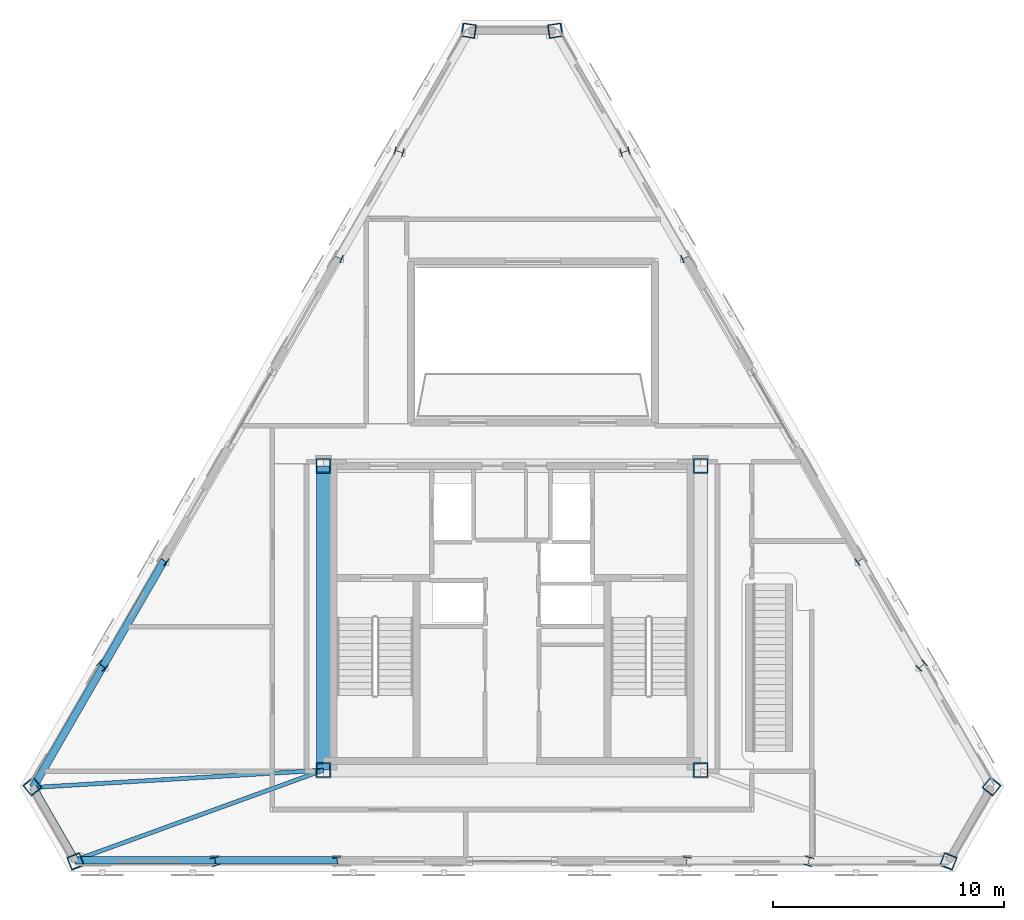
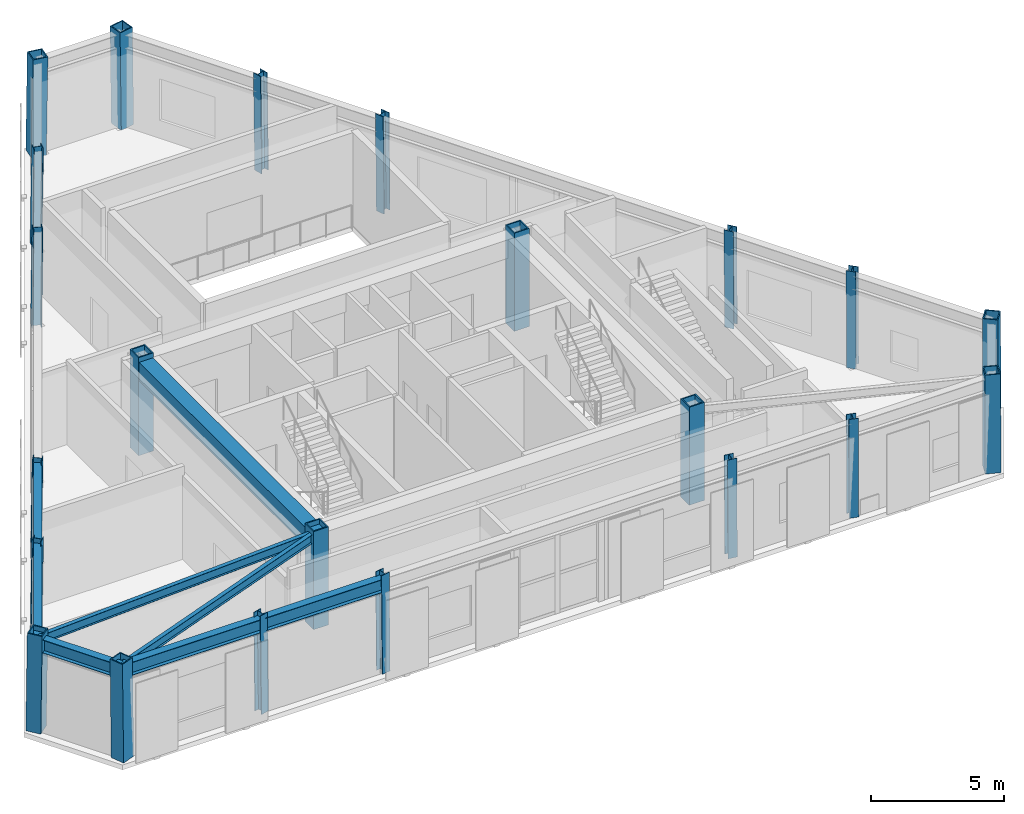
# One storey, part 1 of 15: 22 columns, 8 beams.
"""IFC4 building model written with IfcOpenShell, lengths in metres."""

from ifc_helpers import new_model, si_unit, direction, frame, origin, origin_2d, place, context, subcontext, project, spatial, rectangle, hollow_rectangle, i_section, extrude, material, material_profile, profile_set, type_object, element, save


model = new_model("IFC4")

# Units and contexts
model_context = context("Model", 3, precision=1e-05, world=origin(), true_north=direction((0.0, 1.0)))
body_context = subcontext(model_context, "Body", "Model", "MODEL_VIEW")
ifc_project = project(units=[si_unit("LENGTHUNIT", "METRE"), si_unit("AREAUNIT", "SQUARE_METRE"), si_unit("VOLUMEUNIT", "CUBIC_METRE"), si_unit("PLANEANGLEUNIT", "RADIAN"), si_unit("MASSUNIT", "GRAM", prefix="KILO")], contexts=[model_context])

# Site, building, storey
site_placement = place(None, origin())
site = spatial("IfcSite", under=ifc_project, at=site_placement, CompositionType="ELEMENT")
building_placement = place(site_placement, origin())
building = spatial("IfcBuilding", under=site, at=building_placement, Name="Oramaril Tower", CompositionType="ELEMENT")
storey_placement = place(building_placement, frame((0.0, 0.0, 305.10009765625)))
storey = spatial("IfcBuildingStorey", under=building, at=storey_placement, Name="L80", CompositionType="ELEMENT", Elevation=305.10009765625)

# Columns
ifc_material_1 = material(Name="Steel ASTM A572 Gr 50", Category="steel")
ifc_material_profile_1 = material_profile(ifc_material_1, hollow_rectangle(XDim=0.64990234375, YDim=0.64990234375, WallThickness=0.050048828125, at=origin_2d()), Name="BOX650X650X50")
ifc_profile_set_1 = profile_set([ifc_material_profile_1], Name="Steel ASTM A572 Gr 50")
column_type_1 = type_object("IfcColumnType", Name="CT-CC5", PredefinedType="COLUMN", material=ifc_profile_set_1)
for number, where, z_axis, x_axis, name in (
    (1, (29.35009765625, 11.0, 0.0), (0.0, 0.0, 1.0), (1.0, 0.0, 0.0), "L80 Core Column CC-1"),
    (2, (45.64990234375, 11.0, 0.0), (0.0, 0.0, 1.0), (1.0, 0.0, 0.0), "L80 Core Column CC-2"),
    (3, (45.64990234375, 24.14990234375, 0.0), (0.0, 0.0, 1.0), (1.0, 0.0, 0.0), "L80 Core Column CC-3"),
    (4, (29.35009765625, 24.14990234375, 0.0), (0.0, 0.0, 1.0), (1.0, 0.0, 0.0), "L80 Core Column CC-4"),
):
    element("IfcColumn", number, at=place(storey_placement, frame(where, z_axis=z_axis, x_axis=x_axis)), inside=storey, type_object=column_type_1, Name=name, PredefinedType="COLUMN", context=body_context, shape_type="SweptSolid", body=[
        extrude(hollow_rectangle(XDim=0.64990234375, YDim=0.64990234375, WallThickness=0.050048828125, at=origin_2d()), origin(), (0.0, 0.0, 1.0), 4.5),
    ])
ifc_material_2 = material(Name="Steel ASTM A572 Gr 50", Category="steel")
ifc_material_profile_2 = material_profile(ifc_material_2, hollow_rectangle(XDim=0.60009765625, YDim=0.60009765625, WallThickness=0.044921875, at=origin_2d()), Name="BOX600X600X45")
ifc_profile_set_2 = profile_set([ifc_material_profile_2], Name="Steel ASTM A572 Gr 50")
column_type_2 = type_object("IfcColumnType", Name="CT-TC5", PredefinedType="COLUMN", material=ifc_profile_set_2)
for number, where, z_axis, x_axis, name in (
    (5, (16.7763671875, 10.29833984375, 0.00439453125), (0.008371104998, -0.010273628862, 0.99991218472), (0.775234985517, 0.631672951162, 0.0), "L80 Tube Column TC-01"),
    (6, (18.649658203125, 7.0537109375, 0.00439453125), (-0.004729133114, 0.012339232379, 0.99991268551), (-0.933769029159, -0.357876235845, 0.0), "L80 Tube Column TC-02"),
    (7, (56.350341796875, 7.0537109375, 0.00439453125), (0.004729133114, 0.012339232379, 0.99991268551), (-0.933769029159, 0.357876235845, 0.0), "L80 Tube Column TC-03"),
    (8, (58.2236328125, 10.29833984375, 0.00439453125), (-0.008371104998, -0.010273628862, 0.99991218472), (0.775234985517, -0.631672951162, 0.0), "L80 Tube Column TC-04"),
    (9, (39.373291015625, 42.947998046875, 0.00439453125), (-0.013100234041, -0.002065597069, 0.999912054721), (0.155752094129, -0.987796175926, 0.0), "L80 Tube Column TC-05"),
    (10, (35.626708984375, 42.947998046875, 0.00439453125), (0.013100234041, -0.002065597069, 0.999912054721), (0.155752094129, 0.987796175926, 0.0), "L80 Tube Column TC-06"),
):
    element("IfcColumn", number, at=place(storey_placement, frame(where, z_axis=z_axis, x_axis=x_axis)), inside=storey, type_object=column_type_2, Name=name, PredefinedType="COLUMN", context=body_context, shape_type="SweptSolid", body=[
        extrude(hollow_rectangle(XDim=0.60009765625, YDim=0.60009765625, WallThickness=0.044921875, at=origin_2d()), origin(), (0.0, 0.0, 1.0), 4.491455078125),
    ])
ifc_material_3 = material(Name="Steel ASTM A572 Gr 50", Category="steel")
ifc_material_profile_3 = material_profile(ifc_material_3, i_section(OverallWidth=0.373046875, OverallDepth=0.373046875, WebThickness=0.016357421875, FlangeThickness=0.026123046875, at=origin_2d()), Name="W14X132")
ifc_profile_set_3 = profile_set([ifc_material_profile_3], Name="Steel ASTM A572 Gr 50")
column_type_3 = type_object("IfcColumnType", Name="CT-TF5", PredefinedType="COLUMN", material=ifc_profile_set_3)
for number, where, z_axis, x_axis, name in (
    (11, (24.681884765625, 7.0537109375, 0.00439453125), (-0.003261490238, 0.012339304734, 0.999918548803), (-0.96679812576, -0.255541354826, 0.0), "L80 Tube Column TC-07"),
    (12, (29.9599609375, 7.0537109375, 0.00439453125), (-0.001902542648, 0.012339348031, 0.999922057373), (-0.98832131011, -0.152384342969, 0.0), "L80 Tube Column TC-08"),
    (13, (45.0400390625, 7.0537109375, 0.00439453125), (0.001902542648, 0.012339348031, 0.999922057373), (-0.98832131011, 0.152384342969, 0.0), "L80 Tube Column TC-09"),
    (14, (50.318115234375, 7.0537109375, 0.00439453125), (0.003261490238, 0.012339304734, 0.999918548803), (-0.96679812576, 0.255541354826, 0.0), "L80 Tube Column TC-10"),
):
    element("IfcColumn", number, at=place(storey_placement, frame(where, z_axis=z_axis, x_axis=x_axis)), inside=storey, type_object=column_type_3, Name=name, PredefinedType="COLUMN", context=body_context, shape_type="SweptSolid", body=[
        extrude(i_section(OverallWidth=0.373046875, OverallDepth=0.373046875, WebThickness=0.016357421875, FlangeThickness=0.026123046875, at=origin_2d()), origin(), (0.0, 0.0, 1.0), 4.4912109375),
    ])
column_1_placement = place(storey_placement, frame((55.20751953125, 15.522216796875, 0.00439453125), z_axis=(-0.009132168349, -0.008969093914, 0.999918076072), x_axis=(0.700708014884, -0.713448160609, 0.0)))
element("IfcColumn", 15, at=column_1_placement, inside=storey, type_object=column_type_3, Name="L80 Tube Column TC-11", PredefinedType="COLUMN", context=body_context, shape_type="SweptSolid", body=[
    extrude(i_section(OverallWidth=0.373046875, OverallDepth=0.373046875, WebThickness=0.016357421875, FlangeThickness=0.026123046875, at=origin_2d()), origin(), (0.0, 0.0, 1.0), 4.491455078125),
])
for number, where, z_axis, x_axis, name in (
    (16, (52.568603515625, 20.09326171875, 0.00439453125), (-0.009784499524, -0.007827599619, 0.999921493045), (0.624695047554, -0.780868809443, 0.0), "L80 Tube Column TC-12"),
    (17, (45.0283203125, 33.1533203125, 0.00439453125), (-0.011632687649, -0.004566101694, 0.999921912598), (0.36538319824, -0.930857195516, 0.0), "L80 Tube Column TC-13"),
):
    element("IfcColumn", number, at=place(storey_placement, frame(where, z_axis=z_axis, x_axis=x_axis)), inside=storey, type_object=column_type_3, Name=name, PredefinedType="COLUMN", context=body_context, shape_type="SweptSolid", body=[
        extrude(i_section(OverallWidth=0.373046875, OverallDepth=0.373046875, WebThickness=0.016357421875, FlangeThickness=0.026123046875, at=origin_2d()), origin(), (0.0, 0.0, 1.0), 4.4912109375),
    ])
for number, where, z_axis, x_axis, name in (
    (18, (42.389404296875, 37.72412109375, 0.00439453125), (-0.012339298007, -0.003424562883, 0.999918003685), (0.267424925297, -0.963578699085, 0.0), "L80 Tube Column TC-14"),
    (19, (32.610595703125, 37.72412109375, 0.00439453125), (0.012339298007, -0.003424562883, 0.999918003685), (0.267424925297, 0.963578699085, 0.0), "L80 Tube Column TC-15"),
):
    element("IfcColumn", number, at=place(storey_placement, frame(where, z_axis=z_axis, x_axis=x_axis)), inside=storey, type_object=column_type_3, Name=name, PredefinedType="COLUMN", context=body_context, shape_type="SweptSolid", body=[
        extrude(i_section(OverallWidth=0.373046875, OverallDepth=0.373046875, WebThickness=0.016357421875, FlangeThickness=0.026123046875, at=origin_2d()), origin(), (0.0, 0.0, 1.0), 4.491455078125),
    ])
for number, where, z_axis, x_axis, name in (
    (20, (29.9716796875, 33.1533203125, 0.00439453125), (0.011632687649, -0.004566101694, 0.999921912598), (0.36538319824, 0.930857195516, 0.0), "L80 Tube Column TC-16"),
    (21, (22.431396484375, 20.09326171875, 0.00439453125), (0.009784499524, -0.007827599619, 0.999921493045), (0.624695047554, 0.780868809443, 0.0), "L80 Tube Column TC-17"),
):
    element("IfcColumn", number, at=place(storey_placement, frame(where, z_axis=z_axis, x_axis=x_axis)), inside=storey, type_object=column_type_3, Name=name, PredefinedType="COLUMN", context=body_context, shape_type="SweptSolid", body=[
        extrude(i_section(OverallWidth=0.373046875, OverallDepth=0.373046875, WebThickness=0.016357421875, FlangeThickness=0.026123046875, at=origin_2d()), origin(), (0.0, 0.0, 1.0), 4.4912109375),
    ])
column_2_placement = place(storey_placement, frame((19.79248046875, 15.522216796875, 0.00439453125), z_axis=(0.009132168349, -0.008969093914, 0.999918076072), x_axis=(0.700708014884, 0.713448160609, 0.0)))
element("IfcColumn", 22, at=column_2_placement, inside=storey, type_object=column_type_3, Name="L80 Tube Column TC-18", PredefinedType="COLUMN", context=body_context, shape_type="SweptSolid", body=[
    extrude(i_section(OverallWidth=0.373046875, OverallDepth=0.373046875, WebThickness=0.016357421875, FlangeThickness=0.026123046875, at=origin_2d()), origin(), (0.0, 0.0, 1.0), 4.491455078125),
])

# Beams
ifc_material_4 = material(Name="Concrete C50/60", Category="concrete")
ifc_material_profile_4 = material_profile(ifc_material_4, rectangle(XDim=0.60009765625, YDim=0.85009765625, at=origin_2d()), Name="CB600X850")
ifc_profile_set_4 = profile_set([ifc_material_profile_4], Name="Concrete C50/60")
beam_type_1 = type_object("IfcBeamType", Name="BT-CB2", PredefinedType="BEAM", material=ifc_profile_set_4)
beam_1_placement = place(storey_placement, frame((29.35009765625, 24.14990234375, 3.85498046875), z_axis=(0.0, -1.0, 0.0), x_axis=(1.0, 0.0, 0.0)))
element("IfcBeam", 23, at=beam_1_placement, inside=storey, type_object=beam_type_1, Name="L80 Core Header Beam CB-4", PredefinedType="BEAM", context=body_context, shape_type="SweptSolid", body=[
    extrude(rectangle(XDim=0.60009765625, YDim=0.85009765625, at=origin_2d()), origin(), (0.0, 0.0, 1.0), 13.14990234375),
])
ifc_material_5 = material(Name="Steel ASTM A572 Gr 50", Category="steel")
ifc_material_profile_5 = material_profile(ifc_material_5, i_section(OverallWidth=0.177978515625, OverallDepth=0.404052734375, WebThickness=0.007568359375, FlangeThickness=0.010986328125, at=origin_2d()), Name="W16X36")
ifc_profile_set_5 = profile_set([ifc_material_profile_5], Name="Steel ASTM A572 Gr 50")
beam_type_2 = type_object("IfcBeamType", Name="BT-SB1", PredefinedType="BEAM", material=ifc_profile_set_5)
beam_2_placement = place(storey_placement, frame((29.35009765625, 11.0, 4.077880859375), z_axis=(-0.998225566228, -0.059545939654, 0.0), x_axis=(0.059545939654, -0.998225566228, 0.0)))
element("IfcBeam", 24, at=beam_2_placement, inside=storey, type_object=beam_type_2, Name="L80 Radial Primary Beam RB-01", PredefinedType="BEAM", context=body_context, shape_type="SweptSolid", body=[
    extrude(i_section(OverallWidth=0.177978515625, OverallDepth=0.404052734375, WebThickness=0.007568359375, FlangeThickness=0.010986328125, at=origin_2d()), origin(), (0.0, 0.0, 1.0), 12.558349609375),
])
beam_3_placement = place(storey_placement, frame((29.35009765625, 11.0, 4.077880859375), z_axis=(-0.940016333836, -0.341129436022, 0.0), x_axis=(0.341129436022, -0.940016333836, 0.0)))
element("IfcBeam", 25, at=beam_3_placement, inside=storey, type_object=beam_type_2, Name="L80 Radial Primary Beam RB-02", PredefinedType="BEAM", context=body_context, shape_type="SweptSolid", body=[
    extrude(i_section(OverallWidth=0.177978515625, OverallDepth=0.404052734375, WebThickness=0.007568359375, FlangeThickness=0.010986328125, at=origin_2d()), origin(), (0.0, 0.0, 1.0), 11.40576171875),
])
ifc_material_6 = material(Name="Steel ASTM A572 Gr 50", Category="steel")
ifc_material_profile_6 = material_profile(ifc_material_6, i_section(OverallWidth=0.324951171875, OverallDepth=0.612060546875, WebThickness=0.0126953125, FlangeThickness=0.01904296875, at=origin_2d()), Name="W24X104")
ifc_profile_set_6 = profile_set([ifc_material_profile_6], Name="Steel ASTM A572 Gr 50")
beam_type_3 = type_object("IfcBeamType", Name="BT-SP5", PredefinedType="SPANDREL", material=ifc_profile_set_6)
beam_4_placement = place(storey_placement, frame((16.81396484375, 10.252197265625, 3.973876953125), z_axis=(0.499959265134, -0.866048920793, 0.0), x_axis=(0.866048920793, 0.499959265134, 0.0)))
element("IfcBeam", 26, at=beam_4_placement, inside=storey, type_object=beam_type_3, Name="L80 Perimeter Spandrel 01", PredefinedType="SPANDREL", context=body_context, shape_type="SweptSolid", body=[
    extrude(i_section(OverallWidth=0.324951171875, OverallDepth=0.612060546875, WebThickness=0.0126953125, FlangeThickness=0.01904296875, at=origin_2d()), origin(), (0.0, 0.0, 1.0), 3.629150390625),
])
beam_5_placement = place(storey_placement, frame((18.62841796875, 7.109130859375, 3.973876953125), z_axis=(1.0, 0.0, 0.0), x_axis=(0.0, 1.0, 0.0)))
element("IfcBeam", 27, at=beam_5_placement, inside=storey, type_object=beam_type_3, Name="L80 Perimeter Spandrel 02", PredefinedType="SPANDREL", context=body_context, shape_type="SweptSolid", body=[
    extrude(i_section(OverallWidth=0.324951171875, OverallDepth=0.612060546875, WebThickness=0.0126953125, FlangeThickness=0.01904296875, at=origin_2d()), origin(), (0.0, 0.0, 1.0), 6.038818359375),
])
beam_6_placement = place(storey_placement, frame((24.667236328125, 7.109130859375, 3.973876953125), z_axis=(1.0, 0.0, 0.0), x_axis=(0.0, 1.0, 0.0)))
element("IfcBeam", 28, at=beam_6_placement, inside=storey, type_object=beam_type_3, Name="L80 Perimeter Spandrel 03", PredefinedType="SPANDREL", context=body_context, shape_type="SweptSolid", body=[
    extrude(i_section(OverallWidth=0.324951171875, OverallDepth=0.612060546875, WebThickness=0.0126953125, FlangeThickness=0.01904296875, at=origin_2d()), origin(), (0.0, 0.0, 1.0), 5.2841796875),
])
beam_7_placement = place(storey_placement, frame((22.475341796875, 20.05810546875, 3.973876953125), z_axis=(-0.499970425436, -0.866042477994, 0.0), x_axis=(0.866042477994, -0.499970425436, 0.0)))
element("IfcBeam", 29, at=beam_7_placement, inside=storey, type_object=beam_type_3, Name="L80 Perimeter Spandrel 17", PredefinedType="SPANDREL", context=body_context, shape_type="SweptSolid", body=[
    extrude(i_section(OverallWidth=0.324951171875, OverallDepth=0.612060546875, WebThickness=0.0126953125, FlangeThickness=0.01904296875, at=origin_2d()), origin(), (0.0, 0.0, 1.0), 5.283935546875),
])
beam_8_placement = place(storey_placement, frame((19.83349609375, 15.48193359375, 3.973876953125), z_axis=(-0.500017582694, -0.866015252174, 0.0), x_axis=(0.866015252174, -0.500017582694, 0.0)))
element("IfcBeam", 30, at=beam_8_placement, inside=storey, type_object=beam_type_3, Name="L80 Perimeter Spandrel 18", PredefinedType="SPANDREL", context=body_context, shape_type="SweptSolid", body=[
    extrude(i_section(OverallWidth=0.324951171875, OverallDepth=0.612060546875, WebThickness=0.0126953125, FlangeThickness=0.01904296875, at=origin_2d()), origin(), (0.0, 0.0, 1.0), 6.038818359375),
])

save(model, "model.ifc")
